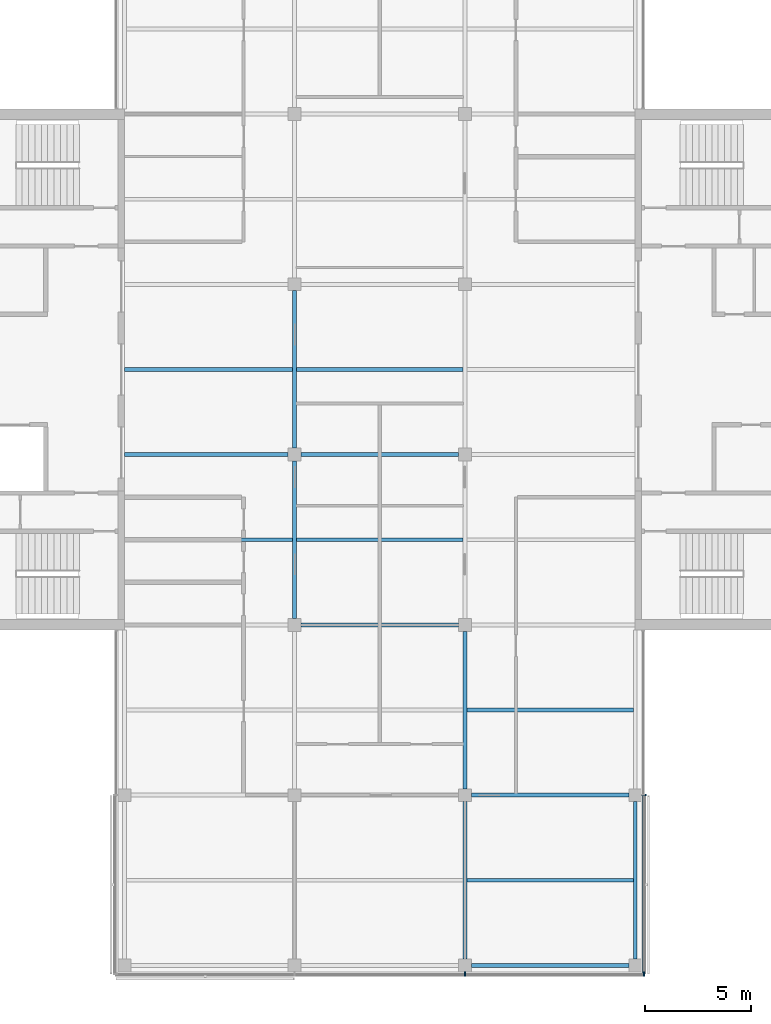
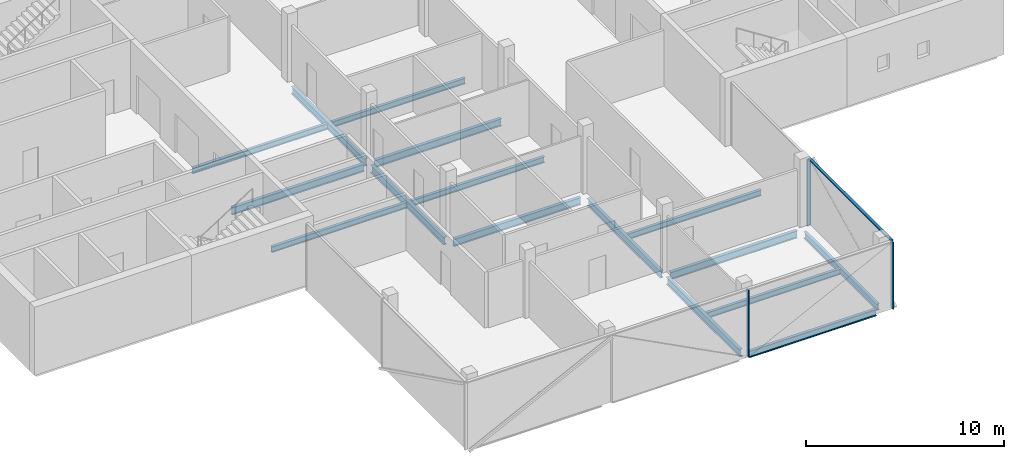
# One storey, part 3 of 16: 16 beams, 4 members, 2 elements without a shape of their own.
"""IFC4 building model written with IfcOpenShell, lengths in metres."""

from ifc_helpers import new_model, si_unit, direction, frame, origin, origin_2d, place, context, subcontext, project, spatial, rectangle, i_section, extrude, material, material_profile, profile_set, type_object, element, aggregate, save


model = new_model("IFC4")

# Units and contexts
model_context = context("Model", 3, precision=1e-05, world=origin(), true_north=direction((0.0, 1.0)))
body_context = subcontext(model_context, "Body", "Model", "MODEL_VIEW")
ifc_project = project(units=[si_unit("LENGTHUNIT", "METRE"), si_unit("AREAUNIT", "SQUARE_METRE"), si_unit("VOLUMEUNIT", "CUBIC_METRE"), si_unit("PLANEANGLEUNIT", "RADIAN"), si_unit("MASSUNIT", "GRAM", prefix="KILO")], contexts=[model_context])

# Site, building, storey
site_placement = place(None, origin())
site = spatial("IfcSite", under=ifc_project, at=site_placement, CompositionType="ELEMENT")
building_placement = place(site_placement, origin())
building = spatial("IfcBuilding", under=site, at=building_placement, Name="Crosswind Convention Tower", CompositionType="ELEMENT")
storey_placement = place(building_placement, frame((0.0, 0.0, 336.5)))
storey = spatial("IfcBuildingStorey", under=building, at=storey_placement, Name="L73", CompositionType="ELEMENT", Elevation=336.5)

# Beams
ifc_material_1 = material(Name="Steel S355", Category="steel")
ifc_material_profile_1 = material_profile(ifc_material_1, i_section(OverallWidth=0.177734375, OverallDepth=0.406494140625, WebThickness=0.0078125, FlangeThickness=0.0126953125, FilletRadius=0.01025390625, at=origin_2d()), Name="UB 406x178x60")
ifc_profile_set_1 = profile_set([ifc_material_profile_1], Name="Steel S355")
beam_type_1 = type_object("IfcBeamType", Name="Edge beam UB 406x178x60", PredefinedType="SPANDREL", material=ifc_profile_set_1)
for number, where, z_axis, x_axis, name in (
    (1, (129.300048828125, 72.0, -0.503173828125), (1.0, 0.0, 0.0), (0.0, 1.0, 0.0), "B15 L73 edge beam 9"),
    (2, (137.0, 72.300048828125, -0.503173828125), (0.0, 1.0, 0.0), (-1.0, 0.0, 0.0), "B15 L73 edge beam 11"),
):
    element("IfcBeam", number, at=place(storey_placement, frame(where, z_axis=z_axis, x_axis=x_axis)), inside=storey, type_object=beam_type_1, Name=name, PredefinedType="SPANDREL", context=body_context, shape_type="SweptSolid", body=[
        extrude(i_section(OverallWidth=0.177734375, OverallDepth=0.406494140625, WebThickness=0.0078125, FlangeThickness=0.0126953125, FilletRadius=0.01025390625, at=origin_2d()), origin(), (0.0, 0.0, 1.0), 7.39990234375),
    ])
ifc_material_profile_2 = material_profile(ifc_material_1, i_section(OverallWidth=0.18994140625, OverallDepth=0.45361328125, WebThickness=0.008544921875, FlangeThickness=0.0126953125, FilletRadius=0.01025390625, at=origin_2d()), Name="UB 457x191x67")
ifc_profile_set_2 = profile_set([ifc_material_profile_2], Name="Steel S355")
beam_type_2 = type_object("IfcBeamType", Name="Girder UB 457x191x67", PredefinedType="BEAM", material=ifc_profile_set_2)
for number, where, z_axis, x_axis, name in (
    (3, (121.0, 88.300048828125, -0.52685546875), (0.0, 1.0, 0.0), (-1.0, 0.0, 0.0), "B1 L73 girder 5"),
    (4, (121.0, 96.300048828125, -0.52685546875), (0.0, 1.0, 0.0), (-1.0, 0.0, 0.0), "B1 L73 girder 6"),
    (5, (121.300048828125, 88.0, -0.52685546875), (1.0, 0.0, 0.0), (0.0, 1.0, 0.0), "B1 L73 girder 11"),
    (6, (121.300048828125, 96.0, -0.52685546875), (1.0, 0.0, 0.0), (0.0, 1.0, 0.0), "B1 L73 girder 12"),
    (7, (129.0, 72.300048828125, -0.52685546875), (0.0, 1.0, 0.0), (-1.0, 0.0, 0.0), "B1 L73 girder 16"),
    (8, (129.0, 80.300048828125, -0.52685546875), (0.0, 1.0, 0.0), (-1.0, 0.0, 0.0), "B1 L73 girder 17"),
    (9, (129.300048828125, 80.0, -0.52685546875), (1.0, 0.0, 0.0), (0.0, 1.0, 0.0), "B1 L73 girder 23"),
):
    element("IfcBeam", number, at=place(storey_placement, frame(where, z_axis=z_axis, x_axis=x_axis)), inside=storey, type_object=beam_type_2, Name=name, PredefinedType="BEAM", context=body_context, shape_type="SweptSolid", body=[
        extrude(i_section(OverallWidth=0.18994140625, OverallDepth=0.45361328125, WebThickness=0.008544921875, FlangeThickness=0.0126953125, FilletRadius=0.01025390625, at=origin_2d()), origin(), (0.0, 0.0, 1.0), 7.39990234375),
    ])
ifc_material_profile_3 = material_profile(ifc_material_1, i_section(OverallWidth=0.1904296875, OverallDepth=0.457275390625, WebThickness=0.009033203125, FlangeThickness=0.014404296875, FilletRadius=0.01025390625, at=origin_2d()), Name="UB 457x191x75")
ifc_profile_set_3 = profile_set([ifc_material_profile_3], Name="Steel S355")
beam_type_3 = type_object("IfcBeamType", Name="Girder at core wall UB 457x191x75", PredefinedType="BEAM", material=ifc_profile_set_3)
beam_placement = place(storey_placement, frame((113.0, 96.0, -0.528564453125), z_axis=(1.0, 0.0, 0.0), x_axis=(0.0, 1.0, 0.0)))
element("IfcBeam", 10, at=beam_placement, inside=storey, type_object=beam_type_3, Name="B22 L73 girder at core wall 2", PredefinedType="BEAM", context=body_context, shape_type="SweptSolid", body=[
    extrude(i_section(OverallWidth=0.1904296875, OverallDepth=0.457275390625, WebThickness=0.009033203125, FlangeThickness=0.014404296875, FilletRadius=0.01025390625, at=origin_2d()), origin(), (0.0, 0.0, 1.0), 7.699951171875),
])

# Curtain wall, members
ifc_material_2 = material(Name="Aluminium unitised curtain wall", Category="aluminium")
curtain_wall_type = type_object("IfcCurtainWallType", Name="OFFICE UNITISED WALL 220", PredefinedType="USERDEFINED", material=ifc_material_2)
curtain_wall_1_placement = place(storey_placement, origin())
curtain_wall_1 = element("IfcCurtainWall", 11, at=curtain_wall_1_placement, inside=storey, type_object=curtain_wall_type, Name="CW3 L73 S-TIP 1", ObjectType="UNITISED", PredefinedType="USERDEFINED")
ifc_material_3 = material(Name="Aluminium mullion", Category="aluminium")
ifc_material_profile_4 = material_profile(ifc_material_3, rectangle(XDim=0.219970703125, YDim=0.070068359375, at=origin_2d()), Name="AL 220X70")
ifc_profile_set_4 = profile_set([ifc_material_profile_4], Name="Aluminium mullion")
member_type_1 = type_object("IfcMemberType", Name="MULLION 70X220", PredefinedType="MULLION", material=ifc_profile_set_4)
member_1_placement = place(storey_placement, frame((129.0, 71.590087890625, -0.300048828125), z_axis=(0.0, 0.0, 1.0), x_axis=(0.0, -1.0, 0.0)))
member_1 = element("IfcMember", 12, at=member_1_placement, type_object=member_type_1, Name="CW3 mullion 3", PredefinedType="MULLION", context=body_context, shape_type="SweptSolid", body=[
    extrude(rectangle(XDim=0.219970703125, YDim=0.070068359375, at=origin_2d()), origin(), (0.0, 0.0, 1.0), 4.130126953125),
])
member_2_placement = place(storey_placement, frame((137.409912109375, 71.590087890625, -0.300048828125), z_axis=(0.0, 0.0, 1.0), x_axis=(0.0, -1.0, 0.0)))
member_2 = element("IfcMember", 13, at=member_2_placement, type_object=member_type_1, Name="CW3 mullion 4", PredefinedType="MULLION", context=body_context, shape_type="SweptSolid", body=[
    extrude(rectangle(XDim=0.219970703125, YDim=0.070068359375, at=origin_2d()), origin(), (0.0, 0.0, 1.0), 4.130126953125),
])
aggregate(curtain_wall_1, [member_1, member_2])

# Curtain wall, member
curtain_wall_2_placement = place(storey_placement, origin())
curtain_wall_2 = element("IfcCurtainWall", 14, at=curtain_wall_2_placement, inside=storey, type_object=curtain_wall_type, Name="CW3 L73 S-E 1", ObjectType="UNITISED", PredefinedType="USERDEFINED")
member_3_placement = place(storey_placement, frame((137.409912109375, 80.0, -0.300048828125), z_axis=(0.0, 0.0, 1.0), x_axis=(1.0, 0.0, 0.0)))
member_3 = element("IfcMember", 15, at=member_3_placement, type_object=member_type_1, Name="CW3 mullion 2", PredefinedType="MULLION", context=body_context, shape_type="SweptSolid", body=[
    extrude(rectangle(XDim=0.219970703125, YDim=0.070068359375, at=origin_2d()), origin(), (0.0, 0.0, 1.0), 4.130126953125),
])

# Beams
ifc_material_profile_5 = material_profile(ifc_material_1, i_section(OverallWidth=0.17138671875, OverallDepth=0.355712890625, WebThickness=0.00732421875, FlangeThickness=0.011474609375, FilletRadius=0.01025390625, at=origin_2d()), Name="UB 356x171x51")
ifc_profile_set_5 = profile_set([ifc_material_profile_5], Name="Steel S355")
beam_type_4 = type_object("IfcBeamType", Name="Secondary beam UB 356x171x51", PredefinedType="JOIST", material=ifc_profile_set_5)
for number, where, z_axis, x_axis, name in (
    (16, (113.0, 92.0, -0.477783203125), (1.0, 0.0, 0.0), (0.0, 1.0, 0.0), "B8 L73 secondary beam 1"),
    (17, (113.0, 100.0, -0.477783203125), (1.0, 0.0, 0.0), (0.0, 1.0, 0.0), "B8 L73 secondary beam 2"),
):
    element("IfcBeam", number, at=place(storey_placement, frame(where, z_axis=z_axis, x_axis=x_axis)), inside=storey, type_object=beam_type_4, Name=name, PredefinedType="JOIST", context=body_context, shape_type="SweptSolid", body=[
        extrude(i_section(OverallWidth=0.17138671875, OverallDepth=0.355712890625, WebThickness=0.00732421875, FlangeThickness=0.011474609375, FilletRadius=0.01025390625, at=origin_2d()), origin(), (0.0, 0.0, 1.0), 7.905029296875),
    ])
for number, where, z_axis, x_axis, name in (
    (18, (121.094970703125, 92.0, -0.477783203125), (1.0, 0.0, 0.0), (0.0, 1.0, 0.0), "B8 L73 secondary beam 10"),
    (19, (121.094970703125, 100.0, -0.477783203125), (1.0, 0.0, 0.0), (0.0, 1.0, 0.0), "B8 L73 secondary beam 11"),
):
    element("IfcBeam", number, at=place(storey_placement, frame(where, z_axis=z_axis, x_axis=x_axis)), inside=storey, type_object=beam_type_4, Name=name, PredefinedType="JOIST", context=body_context, shape_type="SweptSolid", body=[
        extrude(i_section(OverallWidth=0.17138671875, OverallDepth=0.355712890625, WebThickness=0.00732421875, FlangeThickness=0.011474609375, FilletRadius=0.01025390625, at=origin_2d()), origin(), (0.0, 0.0, 1.0), 7.81005859375),
    ])
for number, where, z_axis, x_axis, name in (
    (20, (129.094970703125, 76.0, -0.477783203125), (1.0, 0.0, 0.0), (0.0, 1.0, 0.0), "B8 L73 secondary beam 15"),
    (21, (129.094970703125, 84.0, -0.477783203125), (1.0, 0.0, 0.0), (0.0, 1.0, 0.0), "B8 L73 secondary beam 16"),
):
    element("IfcBeam", number, at=place(storey_placement, frame(where, z_axis=z_axis, x_axis=x_axis)), inside=storey, type_object=beam_type_4, Name=name, PredefinedType="JOIST", context=body_context, shape_type="SweptSolid", body=[
        extrude(i_section(OverallWidth=0.17138671875, OverallDepth=0.355712890625, WebThickness=0.00732421875, FlangeThickness=0.011474609375, FilletRadius=0.01025390625, at=origin_2d()), origin(), (0.0, 0.0, 1.0), 7.816162109375),
    ])

# Member
ifc_material_4 = material(Name="Aluminium transom", Category="aluminium")
ifc_material_profile_6 = material_profile(ifc_material_4, rectangle(XDim=0.159912109375, YDim=0.070068359375, at=origin_2d()), Name="AL 160X70")
ifc_profile_set_6 = profile_set([ifc_material_profile_6], Name="Aluminium transom")
member_type_2 = type_object("IfcMemberType", Name="TRANSOM 70X160", PredefinedType="USERDEFINED", material=ifc_profile_set_6)
member_4_placement = place(storey_placement, frame((137.409912109375, 71.625, 3.864990234375), z_axis=(0.0, 1.0, 0.0), x_axis=(-1.0, 0.0, 0.0)))
member_4 = element("IfcMember", 22, at=member_4_placement, type_object=member_type_2, Name="CW3 transom", ObjectType="TRANSOM", PredefinedType="USERDEFINED", context=body_context, shape_type="SweptSolid", body=[
    extrude(rectangle(XDim=0.159912109375, YDim=0.070068359375, at=origin_2d()), origin(), (0.0, 0.0, 1.0), 8.340087890625),
])

aggregate(curtain_wall_2, [member_3, member_4])

save(model, "model.ifc")
